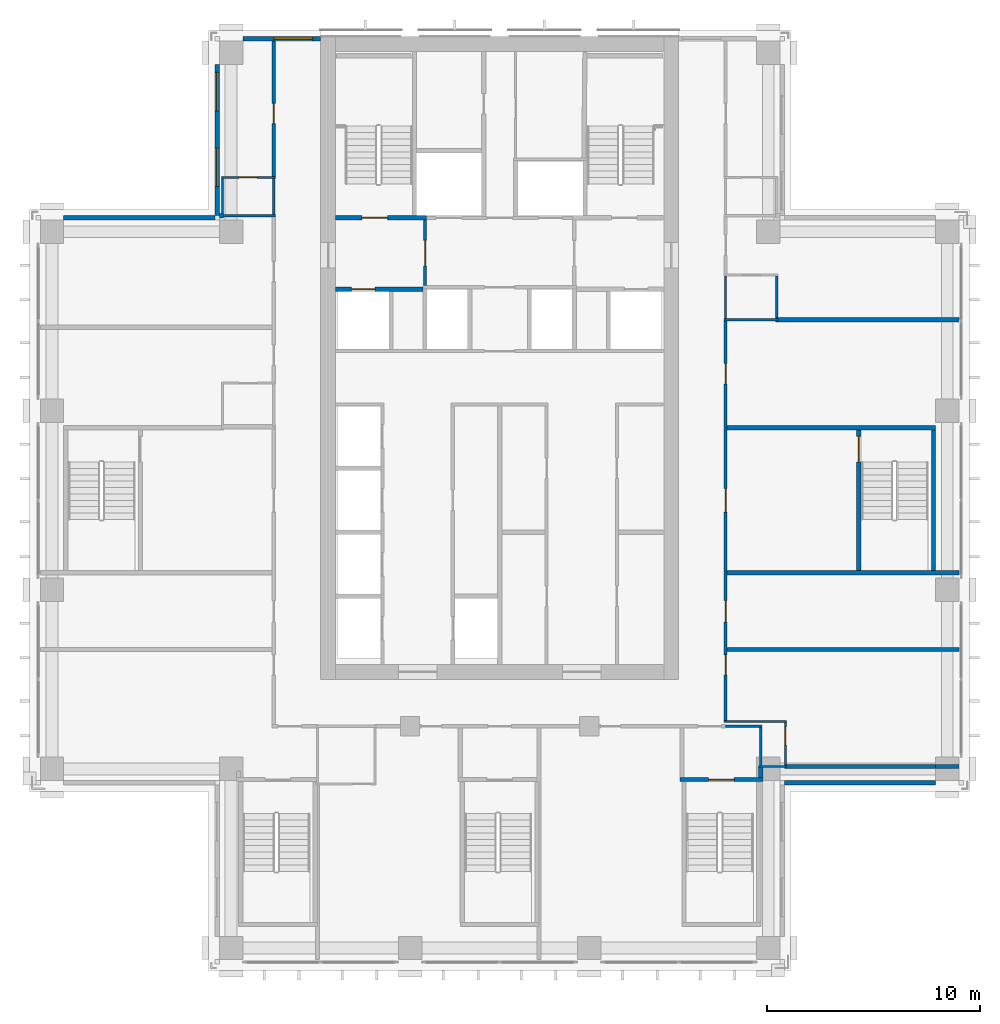
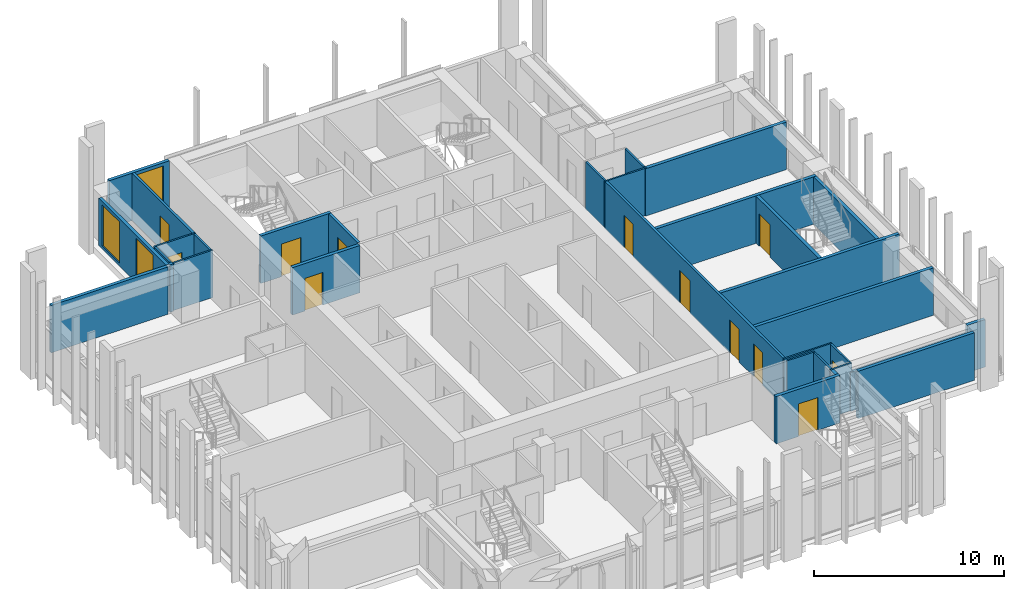
# One storey, part 11 of 16: 32 walls, 12 doors, 3 windows, 15 openings.
"""IFC4 building model written with IfcOpenShell, lengths in metres."""

from ifc_helpers import new_model, si_unit, direction, frame, frame_2d, origin, place, context, subcontext, project, spatial, rectangle, extrude, material, layer, layer_set, type_object, element, fill, save


model = new_model("IFC4")

# Units and contexts
model_context = context("Model", 3, precision=1e-05, world=origin(), true_north=direction((0.0, 1.0)))
body_context = subcontext(model_context, "Body", "Model", "MODEL_VIEW")
ifc_project = project(units=[si_unit("LENGTHUNIT", "METRE"), si_unit("AREAUNIT", "SQUARE_METRE"), si_unit("VOLUMEUNIT", "CUBIC_METRE"), si_unit("PLANEANGLEUNIT", "RADIAN"), si_unit("MASSUNIT", "GRAM", prefix="KILO")], contexts=[model_context])

# Site, building, storey
site_placement = place(None, origin())
site = spatial("IfcSite", under=ifc_project, at=site_placement, CompositionType="ELEMENT")
building_placement = place(site_placement, origin())
building = spatial("IfcBuilding", under=site, at=building_placement, Name="Vermilion Ogive Tower", CompositionType="ELEMENT")
storey_placement = place(building_placement, frame((0.0, 0.0, 143.449951171875)))
storey = spatial("IfcBuildingStorey", under=building, at=storey_placement, Name="L36", CompositionType="ELEMENT", Elevation=143.449951171875)

# Walls
ifc_material_1 = material(Name="Gypsum board partition on steel studs", Category="steel")
ifc_layer_1 = layer(ifc_material_1, 0.10009765625)
ifc_layer_set_1 = layer_set([ifc_layer_1], Name="Partition 100 bath")
wall_type_1 = type_object("IfcWallType", Name="Partition 100 bath", PredefinedType="PARTITIONING", material=ifc_layer_set_1)
wall_1_placement = place(storey_placement, frame((12.152099609375, -12.47998046875, 0.0), z_axis=(0.0, 0.0, 1.0), x_axis=(1.0, 0.0, 0.0)))
element("IfcWall", 1, at=wall_1_placement, inside=storey, type_object=wall_type_1, Name="L36-W-W008", PredefinedType="PARTITIONING", context=body_context, shape_type="SweptSolid", body=[
    extrude(rectangle(XDim=1.2978515625, YDim=0.10009765625, at=frame_2d((0.64892578125, 0.0))), origin(), (0.0, 0.0, 1.0), 3.050048828125),
])
wall_2_placement = place(storey_placement, frame((10.60009765625, -10.60009765625, 0.0), z_axis=(0.0, 0.0, 1.0), x_axis=(1.0, 0.0, 0.0)))
element("IfcWall", 2, at=wall_2_placement, inside=storey, type_object=wall_type_1, Name="L36-W-W013", PredefinedType="PARTITIONING", context=body_context, shape_type="SweptSolid", body=[
    extrude(rectangle(XDim=1.699951171875, YDim=0.10009765625, at=frame_2d((0.85009765625, 0.0))), origin(), (0.0, 0.0, 1.0), 3.050048828125),
])
wall_3_placement = place(storey_placement, frame((10.52490234375, -10.3798828125, 0.0), z_axis=(0.0, 0.0, 1.0), x_axis=(1.0, 0.0, 0.0)))
element("IfcWall", 3, at=wall_3_placement, inside=storey, type_object=wall_type_1, Name="L36-W-W014", PredefinedType="PARTITIONING", context=body_context, shape_type="SweptSolid", body=[
    extrude(rectangle(XDim=2.925048828125, YDim=0.10009765625, at=frame_2d((1.46240234375, 0.0))), origin(), (0.0, 0.0, 1.0), 3.050048828125),
])
for number, where, z_axis, x_axis, name in (
    (4, (10.52490234375, 8.469970703125, 0.0), (0.0, 0.0, 1.0), (1.0, 0.0, 0.0), "L36-W-W024"),
    (5, (-13.050048828125, 13.35009765625, 0.0), (0.0, 0.0, 1.0), (1.0, 0.0, 0.0), "L36-W-W028"),
):
    element("IfcWall", number, at=place(storey_placement, frame(where, z_axis=z_axis, x_axis=x_axis)), inside=storey, type_object=wall_type_1, Name=name, PredefinedType="PARTITIONING", context=body_context, shape_type="SweptSolid", body=[
        extrude(rectangle(XDim=2.525146484375, YDim=0.10009765625, at=frame_2d((1.2626953125, 0.0))), origin(), (0.0, 0.0, 1.0), 3.050048828125),
    ])

# Wall, opening, door
wall_4_placement = place(storey_placement, frame((-13.050048828125, 15.14990234375, 0.0), z_axis=(0.0, 0.0, 1.0), x_axis=(1.0, 0.0, 0.0)))
wall_4 = element("IfcWall", 6, at=wall_4_placement, inside=storey, type_object=wall_type_1, Name="L36-W-W031", PredefinedType="PARTITIONING", context=body_context, shape_type="SweptSolid", body=[
    extrude(rectangle(XDim=2.525146484375, YDim=0.10009765625, at=frame_2d((1.2626953125, 0.0))), origin(), (0.0, 0.0, 1.0), 3.050048828125),
])
opening_1_placement = place(wall_4_placement, frame((0.824951171875, 0.0, 0.0)))
opening_1 = element("IfcOpeningElement", 7, at=opening_1_placement, cuts=wall_4, Name="Opening D3G2006", PredefinedType="OPENING", context=body_context, shape_type="SweptSolid", body=[
    extrude(rectangle(XDim=0.85009765625, YDim=2.10009765625, at=frame_2d((0.425048828125, 1.050048828125))), frame((0.0, 0.06005859375, 0.0), z_axis=(0.0, -1.0, 0.0), x_axis=(1.0, 0.0, 0.0)), (0.0, 0.0, 1.0), 0.1201171875),
])
ifc_material_2 = material(Name="Timber door leaf", Category="wood")
door_type_1 = type_object("IfcDoorType", Name="Bath door 850 x 2100 FD30", OperationType="SINGLE_SWING_LEFT", PredefinedType="DOOR", material=ifc_material_2)
door_1_placement = place(opening_1_placement, origin())
door_1 = element("IfcDoor", 8, at=door_1_placement, inside=storey, type_object=door_type_1, Name="L36-D-D006", OperationType="SINGLE_SWING_RIGHT", OverallHeight=2.10009765625, OverallWidth=0.85009765625, PredefinedType="DOOR", context=body_context, shape_type="SweptSolid", body=[
    extrude(rectangle(XDim=0.85009765625, YDim=2.10009765625, at=frame_2d((0.425048828125, 1.050048828125))), frame((0.0, 0.02490234375, 0.0), z_axis=(0.0, -1.0, 0.0), x_axis=(1.0, 0.0, 0.0)), (0.0, 0.0, 1.0), 0.050048828125),
])
fill(opening_1, door_1)

# Walls
wall_5_placement = place(storey_placement, frame((-13.0, 13.449951171875, 0.0), z_axis=(0.0, 0.0, 1.0), x_axis=(0.0, 1.0, 0.0)))
element("IfcWall", 9, at=wall_5_placement, inside=storey, type_object=wall_type_1, Name="L36-W-W036", PredefinedType="PARTITIONING", context=body_context, shape_type="SweptSolid", body=[
    extrude(rectangle(XDim=1.650146484375, YDim=0.10009765625, at=frame_2d((0.8251953125, 0.0))), origin(), (0.0, 0.0, 1.0), 3.050048828125),
])
wall_6_placement = place(storey_placement, frame((-10.60009765625, 13.39990234375, 0.0), z_axis=(0.0, 0.0, 1.0), x_axis=(0.0, 1.0, 0.0)))
element("IfcWall", 10, at=wall_6_placement, inside=storey, type_object=wall_type_1, Name="L36-W-W042", PredefinedType="PARTITIONING", context=body_context, shape_type="SweptSolid", body=[
    extrude(rectangle(XDim=1.7001953125, YDim=0.10009765625, at=frame_2d((0.85009765625, 0.0))), origin(), (0.0, 0.0, 1.0), 3.050048828125),
])
wall_7_placement = place(storey_placement, frame((10.60009765625, 8.52001953125, 0.0), z_axis=(0.0, 0.0, 1.0), x_axis=(0.0, 1.0, 0.0)))
element("IfcWall", 11, at=wall_7_placement, inside=storey, type_object=wall_type_1, Name="L36-W-W055", PredefinedType="PARTITIONING", context=body_context, shape_type="SweptSolid", body=[
    extrude(rectangle(XDim=2.0, YDim=0.10009765625, at=frame_2d((1.0, 0.0))), origin(), (0.0, 0.0, 1.0), 3.050048828125),
])
wall_8_placement = place(storey_placement, frame((12.25, -12.429931640625, 0.0), z_axis=(0.0, 0.0, 1.0), x_axis=(0.0, 1.0, 0.0)))
element("IfcWall", 12, at=wall_8_placement, inside=storey, type_object=wall_type_1, Name="L36-W-W061", PredefinedType="PARTITIONING", context=body_context, shape_type="SweptSolid", body=[
    extrude(rectangle(XDim=1.780029296875, YDim=0.10009765625, at=frame_2d((0.89013671875, 0.0))), origin(), (0.0, 0.0, 1.0), 3.050048828125),
])
wall_9_placement = place(storey_placement, frame((13.0, 8.570068359375, 0.0), z_axis=(0.0, 0.0, 1.0), x_axis=(0.0, 1.0, 0.0)))
element("IfcWall", 13, at=wall_9_placement, inside=storey, type_object=wall_type_1, Name="L36-W-W062", PredefinedType="PARTITIONING", context=body_context, shape_type="SweptSolid", body=[
    extrude(rectangle(XDim=1.949951171875, YDim=0.10009765625, at=frame_2d((0.97509765625, 0.0))), origin(), (0.0, 0.0, 1.0), 3.050048828125),
])

# Wall, opening, door
wall_10_placement = place(storey_placement, frame((13.39990234375, -12.3798828125, 0.0), z_axis=(0.0, 0.0, 1.0), x_axis=(0.0, 1.0, 0.0)))
wall_10 = element("IfcWall", 14, at=wall_10_placement, inside=storey, type_object=wall_type_1, Name="L36-W-W064", PredefinedType="PARTITIONING", context=body_context, shape_type="SweptSolid", body=[
    extrude(rectangle(XDim=1.949951171875, YDim=0.10009765625, at=frame_2d((0.97509765625, 0.0))), origin(), (0.0, 0.0, 1.0), 3.050048828125),
])
opening_2_placement = place(wall_10_placement, frame((0.89990234375, 0.0, 0.0)))
opening_2 = element("IfcOpeningElement", 15, at=opening_2_placement, cuts=wall_10, Name="Opening D3G2011", PredefinedType="OPENING", context=body_context, shape_type="SweptSolid", body=[
    extrude(rectangle(XDim=0.85009765625, YDim=2.10009765625, at=frame_2d((0.425048828125, 1.050048828125))), frame((0.0, 0.06005859375, 0.0), z_axis=(0.0, -1.0, 0.0), x_axis=(1.0, 0.0, 0.0)), (0.0, 0.0, 1.0), 0.1201171875),
])
door_2_placement = place(opening_2_placement, origin())
door_2 = element("IfcDoor", 16, at=door_2_placement, inside=storey, type_object=door_type_1, Name="L36-D-D011", OperationType="SINGLE_SWING_LEFT", OverallHeight=2.10009765625, OverallWidth=0.85009765625, PredefinedType="DOOR", context=body_context, shape_type="SweptSolid", body=[
    extrude(rectangle(XDim=0.85009765625, YDim=2.10009765625, at=frame_2d((0.425048828125, 1.050048828125))), frame((0.0, 0.02490234375, 0.0), z_axis=(0.0, -1.0, 0.0), x_axis=(1.0, 0.0, 0.0)), (0.0, 0.0, 1.0), 0.050048828125),
])
fill(opening_2, door_2)

ifc_material_3 = material(Name="Gypsum board partition on steel studs", Category="steel")
ifc_layer_2 = layer(ifc_material_3, 0.14990234375)
ifc_layer_set_2 = layer_set([ifc_layer_2], Name="Partition 150 corridor")
wall_type_2 = type_object("IfcWallType", Name="Partition 150 corridor", PredefinedType="PARTITIONING", material=ifc_layer_set_2)
wall_11_placement = place(storey_placement, frame((-10.60009765625, 15.199951171875, 0.0), z_axis=(0.0, 0.0, 1.0), x_axis=(0.0, 1.0, 0.0)))
wall_11 = element("IfcWall", 17, at=wall_11_placement, inside=storey, type_object=wall_type_2, Name="L36-W-W043", PredefinedType="PARTITIONING", context=body_context, shape_type="SweptSolid", body=[
    extrude(rectangle(XDim=6.35009765625, YDim=0.14990234375, at=frame_2d((3.175048828125, 0.0))), origin(), (0.0, 0.0, 1.0), 3.050048828125),
])
opening_3_placement = place(wall_11_placement, frame((2.47509765625, 0.0, 0.0)))
opening_3 = element("IfcOpeningElement", 18, at=opening_3_placement, cuts=wall_11, Name="Opening D3G2005", PredefinedType="OPENING", context=body_context, shape_type="SweptSolid", body=[
    extrude(rectangle(XDim=0.949951171875, YDim=2.10009765625, at=frame_2d((0.47509765625, 1.050048828125))), frame((0.0, 0.0849609375, 0.0), z_axis=(0.0, -1.0, 0.0), x_axis=(1.0, 0.0, 0.0)), (0.0, 0.0, 1.0), 0.169921875),
])
ifc_material_4 = material(Name="Timber door leaf", Category="wood")
door_type_2 = type_object("IfcDoorType", Name="Unit door 950 x 2100 FD30S", OperationType="SINGLE_SWING_LEFT", PredefinedType="DOOR", material=ifc_material_4)
door_3_placement = place(opening_3_placement, origin())
door_3 = element("IfcDoor", 19, at=door_3_placement, inside=storey, type_object=door_type_2, Name="L36-D-D005", OperationType="SINGLE_SWING_RIGHT", OverallHeight=2.10009765625, OverallWidth=0.949951171875, PredefinedType="DOOR", context=body_context, shape_type="SweptSolid", body=[
    extrude(rectangle(XDim=0.949951171875, YDim=2.10009765625, at=frame_2d((0.47509765625, 1.050048828125))), frame((0.0, 0.02490234375, 0.0), z_axis=(0.0, -1.0, 0.0), x_axis=(1.0, 0.0, 0.0)), (0.0, 0.0, 1.0), 0.050048828125),
])
fill(opening_3, door_3)

# Wall, openings, doors
wall_12_placement = place(storey_placement, frame((10.60009765625, -10.330078125, 0.0), z_axis=(0.0, 0.0, 1.0), x_axis=(0.0, 1.0, 0.0)))
wall_12 = element("IfcWall", 20, at=wall_12_placement, inside=storey, type_object=wall_type_2, Name="L36-W-W054", PredefinedType="PARTITIONING", context=body_context, shape_type="SweptSolid", body=[
    extrude(rectangle(XDim=18.75, YDim=0.14990234375, at=frame_2d((9.375, 0.0))), origin(), (0.0, 0.0, 1.0), 3.050048828125),
])
opening_4_placement = place(wall_12_placement, frame((2.130126953125, 0.0, 0.0)))
opening_4 = element("IfcOpeningElement", 21, at=opening_4_placement, cuts=wall_12, Name="Opening D3G2010", PredefinedType="OPENING", context=body_context, shape_type="SweptSolid", body=[
    extrude(rectangle(XDim=0.949951171875, YDim=2.10009765625, at=frame_2d((0.47509765625, 1.050048828125))), frame((0.0, 0.0849609375, 0.0), z_axis=(0.0, -1.0, 0.0), x_axis=(1.0, 0.0, 0.0)), (0.0, 0.0, 1.0), 0.169921875),
])
opening_5_placement = place(wall_12_placement, frame((15.7900390625, 0.0, 0.0)))
opening_5 = element("IfcOpeningElement", 22, at=opening_5_placement, cuts=wall_12, Name="Opening D3G2012", PredefinedType="OPENING", context=body_context, shape_type="SweptSolid", body=[
    extrude(rectangle(XDim=0.949951171875, YDim=2.10009765625, at=frame_2d((0.47509765625, 1.050048828125))), frame((0.0, 0.0849609375, 0.0), z_axis=(0.0, -1.0, 0.0), x_axis=(1.0, 0.0, 0.0)), (0.0, 0.0, 1.0), 0.169921875),
])
opening_6_placement = place(wall_12_placement, frame((9.780029296875, 0.0, 0.0)))
opening_6 = element("IfcOpeningElement", 23, at=opening_6_placement, cuts=wall_12, Name="Opening D3G2023", PredefinedType="OPENING", context=body_context, shape_type="SweptSolid", body=[
    extrude(rectangle(XDim=1.10009765625, YDim=2.10009765625, at=frame_2d((0.550048828125, 1.050048828125))), frame((0.0, 0.0849609375, 0.0), z_axis=(0.0, -1.0, 0.0), x_axis=(1.0, 0.0, 0.0)), (0.0, 0.0, 1.0), 0.169921875),
])
opening_7_placement = place(wall_12_placement, frame((4.630126953125, 0.0, 0.0)))
opening_7 = element("IfcOpeningElement", 24, at=opening_7_placement, cuts=wall_12, Name="Opening D3G2028", PredefinedType="OPENING", context=body_context, shape_type="SweptSolid", body=[
    extrude(rectangle(XDim=1.0, YDim=2.10009765625, at=frame_2d((0.5, 1.050048828125))), frame((0.0, 0.0849609375, 0.0), z_axis=(0.0, -1.0, 0.0), x_axis=(1.0, 0.0, 0.0)), (0.0, 0.0, 1.0), 0.169921875),
])
ifc_material_5 = material(Name="Timber door leaf", Category="wood")
door_type_3 = type_object("IfcDoorType", Name="Stair door 1100 x 2100 FD60S", OperationType="SINGLE_SWING_LEFT", PredefinedType="DOOR", material=ifc_material_5)
door_4_placement = place(opening_6_placement, origin())
door_4 = element("IfcDoor", 25, at=door_4_placement, inside=storey, type_object=door_type_3, Name="L36-D-D023", OperationType="SINGLE_SWING_LEFT", OverallHeight=2.10009765625, OverallWidth=1.10009765625, PredefinedType="DOOR", context=body_context, shape_type="SweptSolid", body=[
    extrude(rectangle(XDim=1.10009765625, YDim=2.10009765625, at=frame_2d((0.550048828125, 1.050048828125))), frame((0.0, 0.02490234375, 0.0), z_axis=(0.0, -1.0, 0.0), x_axis=(1.0, 0.0, 0.0)), (0.0, 0.0, 1.0), 0.050048828125),
])
fill(opening_6, door_4)
ifc_material_6 = material(Name="Timber door leaf", Category="wood")
door_type_4 = type_object("IfcDoorType", Name="Unit door 1000 x 2100 FD30S", OperationType="SINGLE_SWING_LEFT", PredefinedType="DOOR", material=ifc_material_6)
door_5_placement = place(opening_7_placement, origin())
door_5 = element("IfcDoor", 26, at=door_5_placement, inside=storey, type_object=door_type_4, Name="L36-D-D028", OperationType="SINGLE_SWING_RIGHT", OverallHeight=2.10009765625, OverallWidth=1.0, PredefinedType="DOOR", context=body_context, shape_type="SweptSolid", body=[
    extrude(rectangle(XDim=1.0, YDim=2.10009765625, at=frame_2d((0.5, 1.050048828125))), frame((0.0, 0.02490234375, 0.0), z_axis=(0.0, -1.0, 0.0), x_axis=(1.0, 0.0, 0.0)), (0.0, 0.0, 1.0), 0.050048828125),
])
fill(opening_7, door_5)
door_6_placement = place(opening_4_placement, origin())
door_6 = element("IfcDoor", 27, at=door_6_placement, inside=storey, type_object=door_type_2, Name="L36-D-D010", OperationType="SINGLE_SWING_LEFT", OverallHeight=2.10009765625, OverallWidth=0.949951171875, PredefinedType="DOOR", context=body_context, shape_type="SweptSolid", body=[
    extrude(rectangle(XDim=0.949951171875, YDim=2.10009765625, at=frame_2d((0.47509765625, 1.050048828125))), frame((0.0, 0.02490234375, 0.0), z_axis=(0.0, -1.0, 0.0), x_axis=(1.0, 0.0, 0.0)), (0.0, 0.0, 1.0), 0.050048828125),
])
fill(opening_4, door_6)
door_7_placement = place(opening_5_placement, origin())
door_7 = element("IfcDoor", 28, at=door_7_placement, inside=storey, type_object=door_type_2, Name="L36-D-D012", OperationType="SINGLE_SWING_RIGHT", OverallHeight=2.10009765625, OverallWidth=0.949951171875, PredefinedType="DOOR", context=body_context, shape_type="SweptSolid", body=[
    extrude(rectangle(XDim=0.949951171875, YDim=2.10009765625, at=frame_2d((0.47509765625, 1.050048828125))), frame((0.0, 0.02490234375, 0.0), z_axis=(0.0, -1.0, 0.0), x_axis=(1.0, 0.0, 0.0)), (0.0, 0.0, 1.0), 0.050048828125),
])
fill(opening_5, door_7)

# Wall, opening, door
wall_13_placement = place(storey_placement, frame((-3.5, 10.074951171875, 0.0), z_axis=(0.0, 0.0, 1.0), x_axis=(0.0, 1.0, 0.0)))
wall_13 = element("IfcWall", 29, at=wall_13_placement, inside=storey, type_object=wall_type_2, Name="L36-CK-W-W023", PredefinedType="PARTITIONING", context=body_context, shape_type="SweptSolid", body=[
    extrude(rectangle(XDim=3.074951171875, YDim=0.14990234375, at=frame_2d((1.53759765625, 0.0))), origin(), (0.0, 0.0, 1.0), 3.050048828125),
])
opening_8_placement = place(wall_13_placement, frame((0.925048828125, 0.0, 0.0)))
opening_8 = element("IfcOpeningElement", 30, at=opening_8_placement, cuts=wall_13, Name="Opening DAA300", PredefinedType="OPENING", context=body_context, shape_type="SweptSolid", body=[
    extrude(rectangle(XDim=1.199951171875, YDim=2.10009765625, at=frame_2d((0.60009765625, 1.050048828125))), frame((0.0, 0.0849609375, 0.0), z_axis=(0.0, -1.0, 0.0), x_axis=(1.0, 0.0, 0.0)), (0.0, 0.0, 1.0), 0.169921875),
])
ifc_material_7 = material(Name="Timber door leaf", Category="wood")
door_type_5 = type_object("IfcDoorType", Name="Lobby door 1200 x 2100 FD60S", OperationType="SINGLE_SWING_LEFT", PredefinedType="DOOR", material=ifc_material_7)
door_8_placement = place(opening_8_placement, origin())
door_8 = element("IfcDoor", 31, at=door_8_placement, inside=storey, type_object=door_type_5, Name="L36-CK-D-D022", OperationType="SINGLE_SWING_RIGHT", OverallHeight=2.10009765625, OverallWidth=1.199951171875, PredefinedType="DOOR", context=body_context, shape_type="SweptSolid", body=[
    extrude(rectangle(XDim=1.199951171875, YDim=2.10009765625, at=frame_2d((0.60009765625, 1.050048828125))), frame((0.0, 0.02490234375, 0.0), z_axis=(0.0, -1.0, 0.0), x_axis=(1.0, 0.0, 0.0)), (0.0, 0.0, 1.0), 0.050048828125),
])
fill(opening_8, door_8)

# Walls
ifc_material_8 = material(Name="Gypsum board partition on steel studs", Category="steel")
ifc_layer_3 = layer(ifc_material_8, 0.199951171875)
ifc_layer_set_3 = layer_set([ifc_layer_3], Name="Partition 200 party")
wall_type_3 = type_object("IfcWallType", Name="Partition 200 party", PredefinedType="PARTITIONING", material=ifc_layer_set_3)
wall_14_placement = place(storey_placement, frame((13.35009765625, -12.47998046875, 0.0), z_axis=(0.0, 0.0, 1.0), x_axis=(1.0, 0.0, 0.0)))
element("IfcWall", 32, at=wall_14_placement, inside=storey, type_object=wall_type_3, Name="L36-W-W009", PredefinedType="PARTITIONING", context=body_context, shape_type="SweptSolid", body=[
    extrude(rectangle(XDim=7.099853515625, YDim=0.199951171875, at=frame_2d((3.5498046875, 0.0))), origin(), (0.0, 0.0, 1.0), 2.5),
])
wall_15_placement = place(storey_placement, frame((10.675048828125, -7.0, 0.0), z_axis=(0.0, 0.0, 1.0), x_axis=(1.0, 0.0, 0.0)))
element("IfcWall", 33, at=wall_15_placement, inside=storey, type_object=wall_type_3, Name="L36-W-W016", PredefinedType="PARTITIONING", context=body_context, shape_type="SweptSolid", body=[
    extrude(rectangle(XDim=10.875, YDim=0.199951171875, at=frame_2d((5.4375, 0.0))), origin(), (0.0, 0.0, 1.0), 3.050048828125),
])
wall_16_placement = place(storey_placement, frame((12.949951171875, 8.469970703125, 0.0), z_axis=(0.0, 0.0, 1.0), x_axis=(1.0, 0.0, 0.0)))
element("IfcWall", 34, at=wall_16_placement, inside=storey, type_object=wall_type_3, Name="L36-W-W025", PredefinedType="PARTITIONING", context=body_context, shape_type="SweptSolid", body=[
    extrude(rectangle(XDim=8.60009765625, YDim=0.199951171875, at=frame_2d((4.300048828125, 0.0))), origin(), (0.0, 0.0, 1.0), 3.050048828125),
])
wall_17_placement = place(storey_placement, frame((-13.14990234375, 13.35009765625, 0.0), z_axis=(0.0, 0.0, 1.0), x_axis=(1.0, 0.0, 0.0)))
element("IfcWall", 35, at=wall_17_placement, inside=storey, type_object=wall_type_3, Name="L36-W-W027", PredefinedType="PARTITIONING", context=body_context, shape_type="SweptSolid", body=[
    extrude(rectangle(XDim=0.199951171875, YDim=0.199951171875, at=frame_2d((0.10009765625, 0.0))), origin(), (0.0, 0.0, 1.0), 3.050048828125),
])
wall_18_placement = place(storey_placement, frame((12.25, -12.998046875, 0.0), z_axis=(0.0, 0.0, 1.0), x_axis=(0.0, 1.0, 0.0)))
element("IfcWall", 36, at=wall_18_placement, inside=storey, type_object=wall_type_3, Name="L36-W-W060", PredefinedType="PARTITIONING", context=body_context, shape_type="SweptSolid", body=[
    extrude(rectangle(XDim=0.466064453125, YDim=0.199951171875, at=frame_2d((0.23291015625, 0.0))), origin(), (0.0, 0.0, 1.0), 3.050048828125),
])

# Wall, opening, door
wall_19_placement = place(storey_placement, frame((-7.698974609375, 9.89990234375, 0.0), z_axis=(0.0, 0.0, 1.0), x_axis=(1.0, 0.0, 0.0)))
wall_19 = element("IfcWall", 37, at=wall_19_placement, inside=storey, type_object=wall_type_3, Name="L36-CK-W-W011", PredefinedType="PARTITIONING", context=body_context, shape_type="SweptSolid", body=[
    extrude(rectangle(XDim=4.098876953125, YDim=0.199951171875, at=frame_2d((2.04931640625, 0.0))), origin(), (0.0, 0.0, 1.0), 3.050048828125),
])
opening_9_placement = place(wall_19_placement, frame((0.7490234375, 0.0, 0.0)))
opening_9 = element("IfcOpeningElement", 38, at=opening_9_placement, cuts=wall_19, Name="Opening DAA319", PredefinedType="OPENING", context=body_context, shape_type="SweptSolid", body=[
    extrude(rectangle(XDim=1.10009765625, YDim=2.10009765625, at=frame_2d((0.550048828125, 1.050048828125))), frame((0.0, 0.10986328125, 0.0), z_axis=(0.0, -1.0, 0.0), x_axis=(1.0, 0.0, 0.0)), (0.0, 0.0, 1.0), 0.219970703125),
])
ifc_material_9 = material(Name="Stainless steel", Category="steel")
door_type_6 = type_object("IfcDoorType", Name="Lift landing door 1100 x 2100", OperationType="SLIDING_TO_LEFT", PredefinedType="DOOR", material=ifc_material_9)
door_9_placement = place(opening_9_placement, origin())
door_9 = element("IfcDoor", 39, at=door_9_placement, inside=storey, type_object=door_type_6, Name="L36-CK-D-D012", OperationType="SLIDING_TO_RIGHT", OverallHeight=2.10009765625, OverallWidth=1.10009765625, PredefinedType="DOOR", context=body_context, shape_type="SweptSolid", body=[
    extrude(rectangle(XDim=1.10009765625, YDim=2.10009765625, at=frame_2d((0.550048828125, 1.050048828125))), frame((0.0, 0.02490234375, 0.0), z_axis=(0.0, -1.0, 0.0), x_axis=(1.0, 0.0, 0.0)), (0.0, 0.0, 1.0), 0.050048828125),
])
fill(opening_9, door_9)

# Wall
wall_20_placement = place(storey_placement, frame((20.449951171875, -12.47998046875, 0.0), z_axis=(0.0, 0.0, 1.0), x_axis=(1.0, 0.0, 0.0)))
element("IfcWall", 40, at=wall_20_placement, inside=storey, type_object=wall_type_3, Name="L36-W-W009-h1", PredefinedType="PARTITIONING", context=body_context, shape_type="SweptSolid", body=[
    extrude(rectangle(XDim=1.10009765625, YDim=0.199951171875, at=frame_2d((0.550048828125, 0.0))), origin(), (0.0, 0.0, 1.0), 3.050048828125),
])

# Wall, opening, door
ifc_material_10 = material(Name="Concrete B60", Category="concrete")
ifc_layer_4 = layer(ifc_material_10, 0.199951171875)
ifc_layer_set_4 = layer_set([ifc_layer_4], Name="Stair shaft wall 200 Concrete B60")
wall_type_4 = type_object("IfcWallType", Name="Stair shaft wall 200 Concrete B60", PredefinedType="SOLIDWALL", material=ifc_layer_set_4)
wall_21_placement = place(storey_placement, frame((8.451904296875, -13.10009765625, 0.0), z_axis=(0.0, 0.0, 1.0), x_axis=(1.0, 0.0, 0.0)))
wall_21 = element("IfcWall", 41, at=wall_21_placement, inside=storey, type_object=wall_type_4, Name="L36-W-W007", PredefinedType="SOLIDWALL", context=body_context, shape_type="SweptSolid", body=[
    extrude(rectangle(XDim=3.89599609375, YDim=0.199951171875, at=frame_2d((1.947998046875, 0.0))), origin(), (0.0, 0.0, 1.0), 3.050048828125),
])
opening_10_placement = place(wall_21_placement, frame((1.34814453125, 0.0, 0.0)))
opening_10 = element("IfcOpeningElement", 42, at=opening_10_placement, cuts=wall_21, Name="Opening D3G2022", PredefinedType="OPENING", context=body_context, shape_type="SweptSolid", body=[
    extrude(rectangle(XDim=1.199951171875, YDim=2.10009765625, at=frame_2d((0.60009765625, 1.050048828125))), frame((0.0, 0.10986328125, 0.0), z_axis=(0.0, -1.0, 0.0), x_axis=(1.0, 0.0, 0.0)), (0.0, 0.0, 1.0), 0.219970703125),
])
ifc_material_11 = material(Name="Timber door leaf", Category="wood")
door_type_7 = type_object("IfcDoorType", Name="Stair door 1200 x 2100 FD60S", OperationType="SINGLE_SWING_LEFT", PredefinedType="DOOR", material=ifc_material_11)
door_10_placement = place(opening_10_placement, origin())
door_10 = element("IfcDoor", 43, at=door_10_placement, inside=storey, type_object=door_type_7, Name="L36-D-D022", OperationType="SINGLE_SWING_RIGHT", OverallHeight=2.10009765625, OverallWidth=1.199951171875, PredefinedType="DOOR", context=body_context, shape_type="SweptSolid", body=[
    extrude(rectangle(XDim=1.199951171875, YDim=2.10009765625, at=frame_2d((0.60009765625, 1.050048828125))), frame((0.0, 0.02490234375, 0.0), z_axis=(0.0, -1.0, 0.0), x_axis=(1.0, 0.0, 0.0)), (0.0, 0.0, 1.0), 0.050048828125),
])
fill(opening_10, door_10)

# Walls
wall_22_placement = place(storey_placement, frame((10.675048828125, -3.39990234375, 0.0), z_axis=(0.0, 0.0, 1.0), x_axis=(1.0, 0.0, 0.0)))
element("IfcWall", 44, at=wall_22_placement, inside=storey, type_object=wall_type_4, Name="L36-W-W018", PredefinedType="SOLIDWALL", context=body_context, shape_type="SweptSolid", body=[
    extrude(rectangle(XDim=10.875, YDim=0.199951171875, at=frame_2d((5.4375, 0.0))), origin(), (0.0, 0.0, 1.0), 3.050048828125),
])
wall_23_placement = place(storey_placement, frame((10.675048828125, 3.39990234375, 0.0), z_axis=(0.0, 0.0, 1.0), x_axis=(1.0, 0.0, 0.0)))
element("IfcWall", 45, at=wall_23_placement, inside=storey, type_object=wall_type_4, Name="L36-W-W021", PredefinedType="SOLIDWALL", context=body_context, shape_type="SweptSolid", body=[
    extrude(rectangle(XDim=9.77294921875, YDim=0.199951171875, at=frame_2d((4.886474609375, 0.0))), origin(), (0.0, 0.0, 1.0), 3.050048828125),
])

# Wall, opening, door
wall_24_placement = place(storey_placement, frame((16.85009765625, -3.300048828125, 0.0), z_axis=(0.0, 0.0, 1.0), x_axis=(0.0, 1.0, 0.0)))
wall_24 = element("IfcWall", 46, at=wall_24_placement, inside=storey, type_object=wall_type_4, Name="L36-W-W065", PredefinedType="SOLIDWALL", context=body_context, shape_type="SweptSolid", body=[
    extrude(rectangle(XDim=6.60009765625, YDim=0.199951171875, at=frame_2d((3.300048828125, 0.0))), origin(), (0.0, 0.0, 1.0), 3.050048828125),
])
opening_11_placement = place(wall_24_placement, frame((5.10009765625, 0.0, 0.0)))
opening_11 = element("IfcOpeningElement", 47, at=opening_11_placement, cuts=wall_24, Name="Opening D3G2024", PredefinedType="OPENING", context=body_context, shape_type="SweptSolid", body=[
    extrude(rectangle(XDim=1.199951171875, YDim=2.10009765625, at=frame_2d((0.60009765625, 1.050048828125))), frame((0.0, 0.10986328125, 0.0), z_axis=(0.0, -1.0, 0.0), x_axis=(1.0, 0.0, 0.0)), (0.0, 0.0, 1.0), 0.219970703125),
])
door_11_placement = place(opening_11_placement, origin())
door_11 = element("IfcDoor", 48, at=door_11_placement, inside=storey, type_object=door_type_7, Name="L36-D-D024", OperationType="SINGLE_SWING_LEFT", OverallHeight=2.10009765625, OverallWidth=1.199951171875, PredefinedType="DOOR", context=body_context, shape_type="SweptSolid", body=[
    extrude(rectangle(XDim=1.199951171875, YDim=2.10009765625, at=frame_2d((0.60009765625, 1.050048828125))), frame((0.0, 0.02490234375, 0.0), z_axis=(0.0, -1.0, 0.0), x_axis=(1.0, 0.0, 0.0)), (0.0, 0.0, 1.0), 0.050048828125),
])
fill(opening_11, door_11)

# Wall
wall_25_placement = place(storey_placement, frame((20.35009765625, -3.298095703125, 0.0), z_axis=(0.0, 0.0, 1.0), x_axis=(0.0, 1.0, 0.0)))
element("IfcWall", 49, at=wall_25_placement, inside=storey, type_object=wall_type_4, Name="L36-W-W066", PredefinedType="SOLIDWALL", context=body_context, shape_type="SweptSolid", body=[
    extrude(rectangle(XDim=6.59619140625, YDim=0.199951171875, at=frame_2d((3.298095703125, 0.0))), origin(), (0.0, 0.0, 1.0), 3.050048828125),
])

# Wall, opening, door
wall_26_placement = place(storey_placement, frame((-7.698974609375, 13.25, 0.0), z_axis=(0.0, 0.0, 1.0), x_axis=(1.0, 0.0, 0.0)))
wall_26 = element("IfcWall", 50, at=wall_26_placement, inside=storey, type_object=wall_type_4, Name="L36-CK-W-W014", PredefinedType="SOLIDWALL", context=body_context, shape_type="SweptSolid", body=[
    extrude(rectangle(XDim=4.27392578125, YDim=0.199951171875, at=frame_2d((2.136962890625, 0.0))), origin(), (0.0, 0.0, 1.0), 3.050048828125),
])
opening_12_placement = place(wall_26_placement, frame((1.2490234375, 0.0, 0.0)))
opening_12 = element("IfcOpeningElement", 51, at=opening_12_placement, cuts=wall_26, Name="Opening DAA312", PredefinedType="OPENING", context=body_context, shape_type="SweptSolid", body=[
    extrude(rectangle(XDim=1.199951171875, YDim=2.10009765625, at=frame_2d((0.60009765625, 1.050048828125))), frame((0.0, 0.10986328125, 0.0), z_axis=(0.0, -1.0, 0.0), x_axis=(1.0, 0.0, 0.0)), (0.0, 0.0, 1.0), 0.219970703125),
])
door_12_placement = place(opening_12_placement, origin())
door_12 = element("IfcDoor", 52, at=door_12_placement, inside=storey, type_object=door_type_7, Name="L36-CK-D-D011", OperationType="SINGLE_SWING_LEFT", OverallHeight=2.10009765625, OverallWidth=1.199951171875, PredefinedType="DOOR", context=body_context, shape_type="SweptSolid", body=[
    extrude(rectangle(XDim=1.199951171875, YDim=2.10009765625, at=frame_2d((0.60009765625, 1.050048828125))), frame((0.0, 0.02490234375, 0.0), z_axis=(0.0, -1.0, 0.0), x_axis=(1.0, 0.0, 0.0)), (0.0, 0.0, 1.0), 0.050048828125),
])
fill(opening_12, door_12)

# Wall
ifc_material_12 = material(Name="Aluminium window wall framing", Category="aluminium")
ifc_layer_5 = layer(ifc_material_12, 0.199951171875)
ifc_layer_set_5 = layer_set([ifc_layer_5], Name="Window wall")
wall_type_5 = type_object("IfcWallType", Name="Window wall", PredefinedType="STANDARD", material=ifc_layer_set_5)
wall_27_placement = place(storey_placement, frame((13.35009765625, -13.25, 0.0), z_axis=(0.0, 0.0, 1.0), x_axis=(1.0, 0.0, 0.0)))
element("IfcWall", 53, at=wall_27_placement, inside=storey, type_object=wall_type_5, Name="Window wall X21", PredefinedType="STANDARD", context=body_context, shape_type="SweptSolid", body=[
    extrude(rectangle(XDim=7.099853515625, YDim=0.199951171875, at=frame_2d((3.5498046875, 0.0))), origin(), (0.0, 0.0, 1.0), 3.050048828125),
])

# Wall, opening, window
wall_28_placement = place(storey_placement, frame((-8.39990234375, 21.64990234375, 0.0), z_axis=(0.0, 0.0, 1.0), x_axis=(-1.0, 0.0, 0.0)))
wall_28 = element("IfcWall", 54, at=wall_28_placement, inside=storey, type_object=wall_type_5, Name="Window wall N21", PredefinedType="STANDARD", context=body_context, shape_type="SweptSolid", body=[
    extrude(rectangle(XDim=3.650146484375, YDim=0.199951171875, at=frame_2d((1.8251953125, 0.0))), origin(), (0.0, 0.0, 1.0), 3.050048828125),
])
opening_13_placement = place(wall_28_placement, frame((0.375, 0.0, 0.199951171875)))
opening_13 = element("IfcOpeningElement", 55, at=opening_13_placement, cuts=wall_28, Name="Opening W1-N297", PredefinedType="OPENING", context=body_context, shape_type="SweptSolid", body=[
    extrude(rectangle(XDim=1.800048828125, YDim=2.64990234375, at=frame_2d((0.89990234375, 1.324951171875))), frame((0.0, 0.10986328125, 0.0), z_axis=(0.0, -1.0, 0.0), x_axis=(1.0, 0.0, 0.0)), (0.0, 0.0, 1.0), 0.219970703125),
])
ifc_material_13 = material(Name="Aluminium framed double glazing", Category="aluminium")
window_type = type_object("IfcWindowType", Name="Guest window W1", PartitioningType="SINGLE_PANEL", PredefinedType="WINDOW", material=ifc_material_13)
window_1_placement = place(opening_13_placement, origin())
window_1 = element("IfcWindow", 56, at=window_1_placement, inside=storey, type_object=window_type, Name="Window N297", OverallHeight=2.64990234375, OverallWidth=1.800048828125, PartitioningType="SINGLE_PANEL", PredefinedType="WINDOW", context=body_context, shape_type="SweptSolid", body=[
    extrude(rectangle(XDim=1.800048828125, YDim=2.64990234375, at=frame_2d((0.89990234375, 1.324951171875))), frame((0.0, 0.030029296875, 0.0), z_axis=(0.0, -1.0, 0.0), x_axis=(1.0, 0.0, 0.0)), (0.0, 0.0, 1.0), 0.06005859375),
])
fill(opening_13, window_1)

# Wall, openings, windows
wall_29_placement = place(storey_placement, frame((-13.25, 20.449951171875, 0.0), z_axis=(0.0, 0.0, 1.0), x_axis=(0.0, -1.0, 0.0)))
wall_29 = element("IfcWall", 57, at=wall_29_placement, inside=storey, type_object=wall_type_5, Name="Window wall X51", PredefinedType="STANDARD", context=body_context, shape_type="SweptSolid", body=[
    extrude(rectangle(XDim=7.099853515625, YDim=0.199951171875, at=frame_2d((3.5498046875, 0.0))), origin(), (0.0, 0.0, 1.0), 3.050048828125),
])
opening_14_placement = place(wall_29_placement, frame((3.925048828125, 0.0, 0.199951171875)))
opening_14 = element("IfcOpeningElement", 58, at=opening_14_placement, cuts=wall_29, Name="Opening W1-X503", PredefinedType="OPENING", context=body_context, shape_type="SweptSolid", body=[
    extrude(rectangle(XDim=1.800048828125, YDim=2.64990234375, at=frame_2d((0.89990234375, 1.324951171875))), frame((0.0, 0.10986328125, 0.0), z_axis=(0.0, -1.0, 0.0), x_axis=(1.0, 0.0, 0.0)), (0.0, 0.0, 1.0), 0.219970703125),
])
opening_15_placement = place(wall_29_placement, frame((0.375, 0.0, 0.199951171875)))
opening_15 = element("IfcOpeningElement", 59, at=opening_15_placement, cuts=wall_29, Name="Opening W1-X504", PredefinedType="OPENING", context=body_context, shape_type="SweptSolid", body=[
    extrude(rectangle(XDim=1.800048828125, YDim=2.64990234375, at=frame_2d((0.89990234375, 1.324951171875))), frame((0.0, 0.10986328125, 0.0), z_axis=(0.0, -1.0, 0.0), x_axis=(1.0, 0.0, 0.0)), (0.0, 0.0, 1.0), 0.219970703125),
])
window_2_placement = place(opening_14_placement, origin())
window_2 = element("IfcWindow", 60, at=window_2_placement, inside=storey, type_object=window_type, Name="Window X503", OverallHeight=2.64990234375, OverallWidth=1.800048828125, PartitioningType="SINGLE_PANEL", PredefinedType="WINDOW", context=body_context, shape_type="SweptSolid", body=[
    extrude(rectangle(XDim=1.800048828125, YDim=2.64990234375, at=frame_2d((0.89990234375, 1.324951171875))), frame((0.0, 0.030029296875, 0.0), z_axis=(0.0, -1.0, 0.0), x_axis=(1.0, 0.0, 0.0)), (0.0, 0.0, 1.0), 0.06005859375),
])
fill(opening_14, window_2)
window_3_placement = place(opening_15_placement, origin())
window_3 = element("IfcWindow", 61, at=window_3_placement, inside=storey, type_object=window_type, Name="Window X504", OverallHeight=2.64990234375, OverallWidth=1.800048828125, PartitioningType="SINGLE_PANEL", PredefinedType="WINDOW", context=body_context, shape_type="SweptSolid", body=[
    extrude(rectangle(XDim=1.800048828125, YDim=2.64990234375, at=frame_2d((0.89990234375, 1.324951171875))), frame((0.0, 0.030029296875, 0.0), z_axis=(0.0, -1.0, 0.0), x_axis=(1.0, 0.0, 0.0)), (0.0, 0.0, 1.0), 0.06005859375),
])
fill(opening_15, window_3)

# Wall
wall_30_placement = place(storey_placement, frame((-13.35009765625, 13.25, 0.0), z_axis=(0.0, 0.0, 1.0), x_axis=(-1.0, 0.0, 0.0)))
element("IfcWall", 62, at=wall_30_placement, inside=storey, type_object=wall_type_5, Name="Window wall X61", PredefinedType="STANDARD", context=body_context, shape_type="SweptSolid", body=[
    extrude(rectangle(XDim=7.099853515625, YDim=0.199951171875, at=frame_2d((3.5498046875, 0.0))), origin(), (0.0, 0.0, 1.0), 3.050048828125),
])

save(model, "model.ifc")
